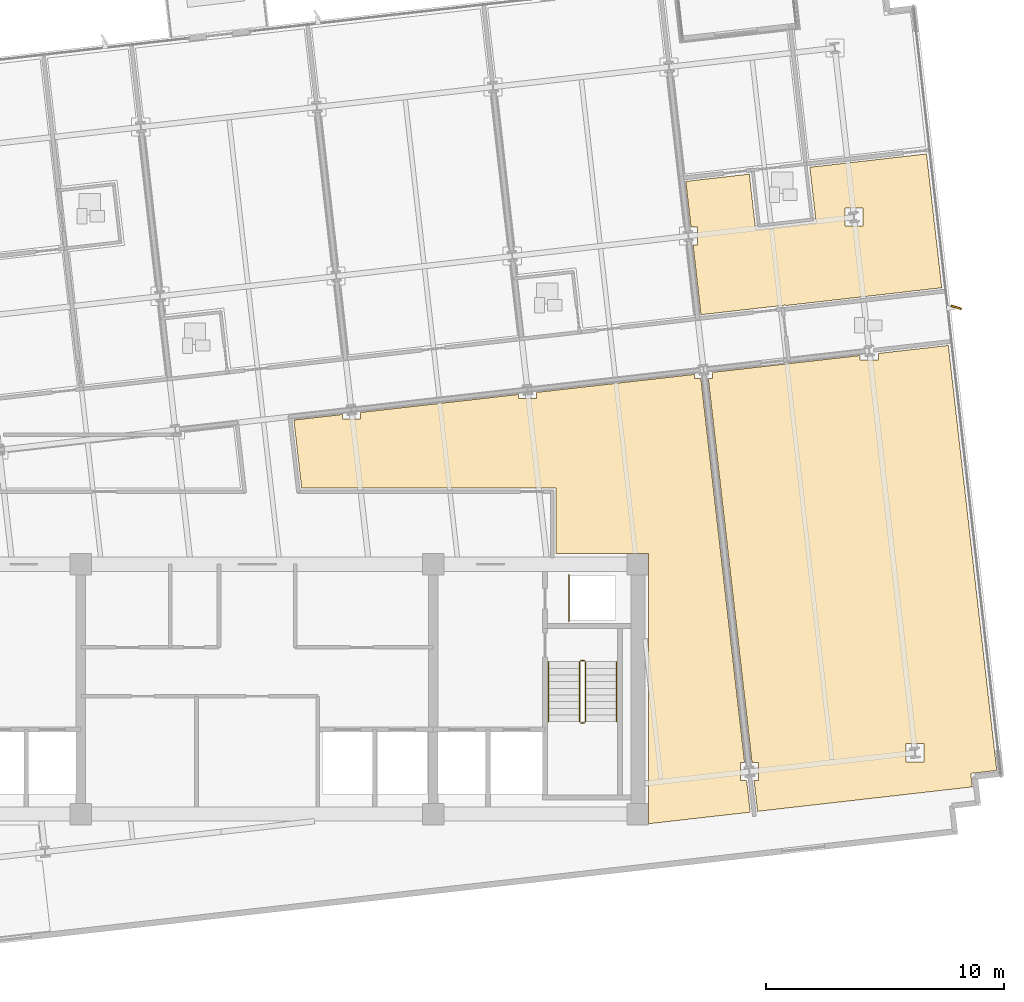
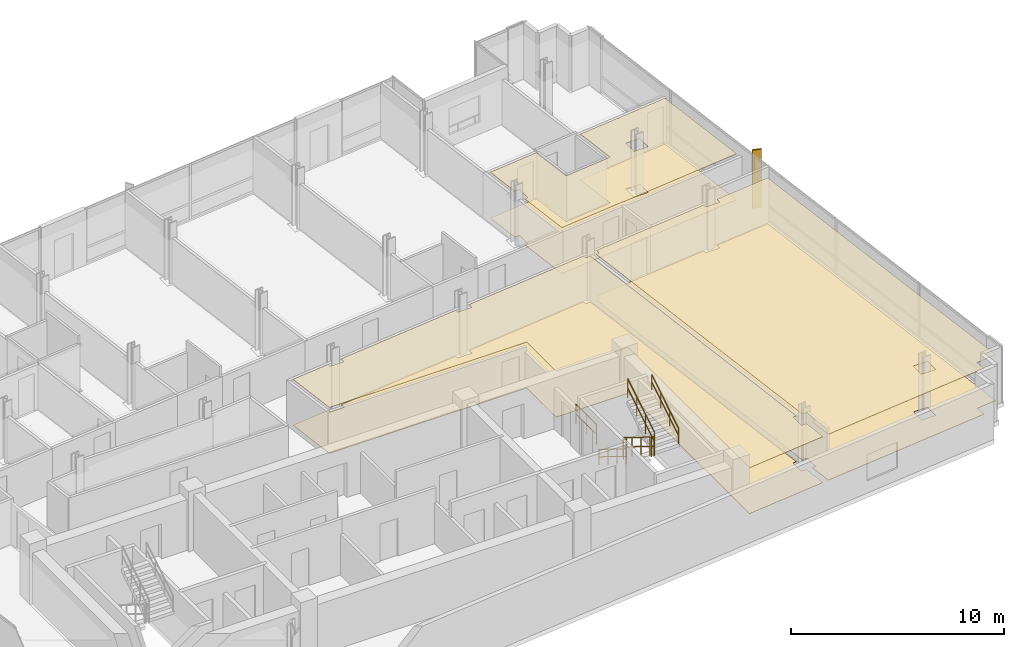
# One storey, part 14 of 16: 7 railings, 6 coverings, 1 shading device.
"""IFC4 building model written with IfcOpenShell, lengths in metres."""

from ifc_helpers import new_model, si_unit, direction, frame, origin, origin_2d, place, context, subcontext, project, spatial, polyline, rectangle, circle, outline, extrude, material, layer, layer_set, type_object, element, save


model = new_model("IFC4")

# Units and contexts
model_context = context("Model", 3, precision=1e-05, world=origin(), true_north=direction((0.0, 1.0)))
body_context = subcontext(model_context, "Body", "Model", "MODEL_VIEW")
ifc_project = project(units=[si_unit("LENGTHUNIT", "METRE"), si_unit("AREAUNIT", "SQUARE_METRE"), si_unit("VOLUMEUNIT", "CUBIC_METRE"), si_unit("PLANEANGLEUNIT", "RADIAN"), si_unit("MASSUNIT", "GRAM", prefix="KILO")], contexts=[model_context])

# Site, building, storey
site_placement = place(None, origin())
site = spatial("IfcSite", under=ifc_project, at=site_placement, CompositionType="ELEMENT")
building_placement = place(site_placement, origin())
building = spatial("IfcBuilding", under=site, at=building_placement, Name="Solmavex Isthmus Hotel", CompositionType="ELEMENT")
storey_placement = place(building_placement, frame((0.0, 0.0, 219.300048828125)))
storey = spatial("IfcBuildingStorey", under=building, at=storey_placement, Name="L59", CompositionType="ELEMENT", Elevation=219.300048828125)

# Coverings
ifc_material_1 = material(Name="Gypsum plasterboard lining", Category="gypsum")
ifc_layer_1 = layer(ifc_material_1, 0.030029296875)
ifc_layer_set_1 = layer_set([ifc_layer_1], Name="Gypsum plasterboard lining")
covering_type_1 = type_object("IfcCoveringType", Name="COV-CEIL-GYP", PredefinedType="CEILING", material=ifc_layer_set_1)
covering_1_placement = place(storey_placement, frame((0.0, 0.0, 2.619873046875)))
element("IfcCovering", 1, at=covering_1_placement, inside=storey, type_object=covering_type_1, Name="Suspended Acoustic Ceiling L59-ST06-FY", PredefinedType="CEILING", context=body_context, shape_type="SweptSolid", body=[
    extrude(outline(polyline([(20.68017578125, 13.8857421875), (18.013427734375, 13.581787109375), (18.044189453125, 13.3115234375), (18.23193359375, 11.6640625), (18.499267578125, 11.6640625), (18.499267578125, 10.904052734375), (18.318359375, 10.904052734375), (18.651611328125, 7.97998046875), (22.228515625, 8.3876953125), (22.230712890625, 8.36767578125), (28.766357421875, 9.1123046875), (28.1259765625, 14.73388671875), (23.2236328125, 14.175537109375), (23.48974609375, 11.840576171875), (20.946044921875, 11.55078125), (20.68017578125, 13.8857421875)]), holes=[polyline([(24.7021484375, 11.697265625), (24.7021484375, 12.457275390625), (25.462158203125, 12.457275390625), (25.462158203125, 11.697265625), (24.7021484375, 11.697265625)])]), origin(), (0.0, 0.0, 1.0), 0.030029296875),
])
covering_2_placement = place(storey_placement, frame((0.0, 0.0, 2.619873046875)))
element("IfcCovering", 2, at=covering_2_placement, inside=storey, type_object=covering_type_1, Name="Suspended Acoustic Ceiling L59-FL11", PredefinedType="CEILING", context=body_context, shape_type="SweptSolid", body=[
    extrude(outline(polyline([(4.34228515625, 3.873779296875), (4.34228515625, 3.6064453125), (3.582275390625, 3.6064453125), (3.582275390625, 3.787109375), (1.547607421875, 3.555419921875), (1.872314453125, 0.705078125), (12.554931640625, 0.705078125), (12.554931640625, -2.044921875), (16.455078125, -2.044921875), (16.455078125, -13.406005859375), (20.720947265625, -12.920166015625), (20.5703125, -11.598388671875), (20.302978515625, -11.598388671875), (20.302978515625, -10.83837890625), (20.483642578125, -10.83837890625), (18.645751953125, 5.292236328125), (18.378662109375, 5.292236328125), (18.378662109375, 5.472900390625), (11.740478515625, 4.716796875), (11.740478515625, 4.449462890625), (10.98046875, 4.449462890625), (10.98046875, 4.630126953125), (4.34228515625, 3.873779296875)])), origin(), (0.0, 0.0, 1.0), 0.030029296875),
])
covering_3_placement = place(storey_placement, frame((0.0, 0.0, 2.619873046875)))
element("IfcCovering", 3, at=covering_3_placement, inside=storey, type_object=covering_type_1, Name="Suspended Acoustic Ceiling L59-FL12", PredefinedType="CEILING", context=body_context, shape_type="SweptSolid", body=[
    extrude(outline(polyline([(20.795654296875, -10.83837890625), (21.06298828125, -10.83837890625), (21.06298828125, -11.598388671875), (20.88232421875, -11.598388671875), (21.02880859375, -12.885009765625), (30.048583984375, -11.857421875), (29.98388671875, -11.291015625), (31.076904296875, -11.16650390625), (30.983642578125, -10.3466796875), (29.042724609375, 6.68798828125), (26.1015625, 6.35302734375), (26.1015625, 6.085693359375), (25.341552734375, 6.085693359375), (25.341552734375, 6.266357421875), (19.138427734375, 5.5595703125), (19.138427734375, 5.292236328125), (18.957763671875, 5.292236328125), (20.795654296875, -10.83837890625)]), holes=[polyline([(27.265869140625, -10.80517578125), (27.265869140625, -10.045166015625), (28.02587890625, -10.045166015625), (28.02587890625, -10.80517578125), (27.265869140625, -10.80517578125)])]), origin(), (0.0, 0.0, 1.0), 0.030029296875),
])
ifc_material_2 = material(Name="Travertine natural stone", Category="masonry")
ifc_layer_2 = layer(ifc_material_2, 0.02490234375)
ifc_layer_set_2 = layer_set([ifc_layer_2], Name="Travertine natural stone")
covering_type_2 = type_object("IfcCoveringType", Name="COV-FLOR-STN", PredefinedType="FLOORING", material=ifc_layer_set_2)
covering_4_placement = place(storey_placement, origin())
element("IfcCovering", 4, at=covering_4_placement, inside=storey, type_object=covering_type_2, Name="Stone and Timber Floor Finish L59-ST06-FY", PredefinedType="FLOORING", context=body_context, shape_type="SweptSolid", body=[
    extrude(outline(polyline([(20.68017578125, 13.8857421875), (18.013427734375, 13.581787109375), (18.044189453125, 13.3115234375), (18.23193359375, 11.6640625), (18.499267578125, 11.6640625), (18.499267578125, 10.904052734375), (18.318359375, 10.904052734375), (18.651611328125, 7.97998046875), (22.228515625, 8.3876953125), (22.230712890625, 8.36767578125), (28.766357421875, 9.1123046875), (28.1259765625, 14.73388671875), (23.2236328125, 14.175537109375), (23.48974609375, 11.840576171875), (20.946044921875, 11.55078125), (20.68017578125, 13.8857421875)]), holes=[polyline([(24.7021484375, 11.697265625), (24.7021484375, 12.457275390625), (25.462158203125, 12.457275390625), (25.462158203125, 11.697265625), (24.7021484375, 11.697265625)])]), origin(), (0.0, 0.0, 1.0), 0.02490234375),
])
covering_5_placement = place(storey_placement, origin())
element("IfcCovering", 5, at=covering_5_placement, inside=storey, type_object=covering_type_2, Name="Stone and Timber Floor Finish L59-FL11", PredefinedType="FLOORING", context=body_context, shape_type="SweptSolid", body=[
    extrude(outline(polyline([(4.34228515625, 3.873779296875), (4.34228515625, 3.6064453125), (3.582275390625, 3.6064453125), (3.582275390625, 3.787109375), (1.547607421875, 3.555419921875), (1.872314453125, 0.705078125), (12.554931640625, 0.705078125), (12.554931640625, -2.044921875), (16.455078125, -2.044921875), (16.455078125, -13.406005859375), (20.720947265625, -12.920166015625), (20.5703125, -11.598388671875), (20.302978515625, -11.598388671875), (20.302978515625, -10.83837890625), (20.483642578125, -10.83837890625), (18.645751953125, 5.292236328125), (18.378662109375, 5.292236328125), (18.378662109375, 5.472900390625), (11.740478515625, 4.716796875), (11.740478515625, 4.449462890625), (10.98046875, 4.449462890625), (10.98046875, 4.630126953125), (4.34228515625, 3.873779296875)])), origin(), (0.0, 0.0, 1.0), 0.02490234375),
])
covering_6_placement = place(storey_placement, origin())
element("IfcCovering", 6, at=covering_6_placement, inside=storey, type_object=covering_type_2, Name="Stone and Timber Floor Finish L59-FL12", PredefinedType="FLOORING", context=body_context, shape_type="SweptSolid", body=[
    extrude(outline(polyline([(20.795654296875, -10.83837890625), (21.06298828125, -10.83837890625), (21.06298828125, -11.598388671875), (20.88232421875, -11.598388671875), (21.02880859375, -12.885009765625), (30.048583984375, -11.857421875), (29.98388671875, -11.291015625), (31.076904296875, -11.16650390625), (30.983642578125, -10.3466796875), (29.042724609375, 6.68798828125), (26.1015625, 6.35302734375), (26.1015625, 6.085693359375), (25.341552734375, 6.085693359375), (25.341552734375, 6.266357421875), (19.138427734375, 5.5595703125), (19.138427734375, 5.292236328125), (18.957763671875, 5.292236328125), (20.795654296875, -10.83837890625)]), holes=[polyline([(27.265869140625, -10.80517578125), (27.265869140625, -10.045166015625), (28.02587890625, -10.045166015625), (28.02587890625, -10.80517578125), (27.265869140625, -10.80517578125)])]), origin(), (0.0, 0.0, 1.0), 0.02490234375),
])

# Railings
ifc_material_3 = material(Name="Clear low-E laminated glass", Category="glass")
ifc_layer_3 = layer(ifc_material_3, 0.080078125)
ifc_layer_set_3 = layer_set([ifc_layer_3], Name="Clear low-E laminated glass")
railing_type_1 = type_object("IfcRailingType", Name="RAIL-ATRIUM-1120", PredefinedType="BALUSTRADE", material=ifc_layer_set_3)
railing_1_placement = place(storey_placement, frame((13.10009765625, -4.89990234375, 0.0)))
element("IfcRailing", 7, at=railing_1_placement, inside=storey, type_object=railing_type_1, Name="Guardrail Balustrade L59-RSE-01", PredefinedType="BALUSTRADE", context=body_context, shape_type="SweptSolid", body=[
    extrude(circle(Radius=0.02392578125, at=origin_2d()), frame((0.0, 0.0, 1.1259765625), z_axis=(0.0, 1.0, 0.0), x_axis=(-1.0, 0.0, 0.0)), (0.0, 0.0, 1.0), 1.949951171875),
    extrude(circle(Radius=0.02392578125, at=origin_2d()), frame((0.0, 0.0, 0.574951171875), z_axis=(0.0, 1.0, 0.0), x_axis=(-1.0, 0.0, 0.0)), (0.0, 0.0, 1.0), 1.949951171875),
    extrude(circle(Radius=0.02099609375, at=origin_2d()), origin(), (0.0, 0.0, 1.0), 1.101806640625),
    extrude(circle(Radius=0.02099609375, at=origin_2d()), frame((0.0, 0.97509765625, 0.0)), (0.0, 0.0, 1.0), 1.101806640625),
    extrude(circle(Radius=0.02099609375, at=origin_2d()), frame((0.0, 1.949951171875, 0.0)), (0.0, 0.0, 1.0), 1.101806640625),
])
ifc_material_4 = material(Name="Stainless steel 316", Category="steel")
ifc_layer_4 = layer(ifc_material_4, 0.06005859375)
ifc_layer_set_4 = layer_set([ifc_layer_4], Name="Stainless steel 316")
railing_type_2 = type_object("IfcRailingType", Name="RAIL-STAIR-GD", PredefinedType="GUARDRAIL", material=ifc_layer_set_4)
railing_2_placement = place(storey_placement, frame((13.550048828125, -6.60009765625, 0.17236328125)))
element("IfcRailing", 8, at=railing_2_placement, inside=storey, type_object=railing_type_2, Name="L59 ST-2 stair guard 1", PredefinedType="GUARDRAIL", context=body_context, shape_type="SweptSolid", body=[
    extrude(circle(Radius=0.02392578125, at=origin_2d()), frame((0.0, 0.0, 1.09619140625), z_axis=(0.0, -0.851400495292, 0.524516154772), x_axis=(1.0, 0.0, 0.0)), (0.0, 0.0, 1.0), 2.9599609375),
    extrude(circle(Radius=0.02392578125, at=origin_2d()), frame((0.0, 0.0, 0.56005859375), z_axis=(0.0, -0.851400495292, 0.524516154772), x_axis=(1.0, 0.0, 0.0)), (0.0, 0.0, 1.0), 2.9599609375),
    extrude(circle(Radius=0.02099609375, at=origin_2d()), origin(), (0.0, 0.0, 1.0), 1.072021484375),
    extrude(circle(Radius=0.02099609375, at=origin_2d()), frame((0.0, -0.840087890625, 0.517578125)), (0.0, 0.0, 1.0), 1.072021484375),
    extrude(circle(Radius=0.02099609375, at=origin_2d()), frame((0.0, -1.679931640625, 1.034912109375)), (0.0, 0.0, 1.0), 1.072021484375),
    extrude(circle(Radius=0.02099609375, at=origin_2d()), frame((0.0, -2.52001953125, 1.552490234375)), (0.0, 0.0, 1.0), 1.072021484375),
])
railing_3_placement = place(storey_placement, frame((13.60009765625, -9.169921875, 1.724853515625)))
element("IfcRailing", 9, at=railing_3_placement, inside=storey, type_object=railing_type_2, Name="L59 ST-2 stair guard 2", PredefinedType="GUARDRAIL", context=body_context, shape_type="SweptSolid", body=[
    extrude(circle(Radius=0.02392578125, at=origin_2d()), frame((0.0, 0.0, 1.09619140625), z_axis=(1.0, 0.0, 0.0), x_axis=(0.0, 1.0, 0.0)), (0.0, 0.0, 1.0), 0.14990234375),
    extrude(circle(Radius=0.02392578125, at=origin_2d()), frame((0.0, 0.0, 0.56005859375), z_axis=(1.0, 0.0, 0.0), x_axis=(0.0, 1.0, 0.0)), (0.0, 0.0, 1.0), 0.14990234375),
    extrude(circle(Radius=0.02099609375, at=origin_2d()), origin(), (0.0, 0.0, 1.0), 1.072021484375),
    extrude(circle(Radius=0.02099609375, at=origin_2d()), frame((0.14990234375, 0.0, 0.0)), (0.0, 0.0, 1.0), 1.072021484375),
])
railing_4_placement = place(storey_placement, frame((13.800048828125, -9.1201171875, 1.8974609375)))
element("IfcRailing", 10, at=railing_4_placement, inside=storey, type_object=railing_type_2, Name="L59 ST-2 stair guard 3", PredefinedType="GUARDRAIL", context=body_context, shape_type="SweptSolid", body=[
    extrude(circle(Radius=0.02392578125, at=origin_2d()), frame((0.0, 0.0, 1.09619140625), z_axis=(0.0, 0.851400495292, 0.524516154772), x_axis=(-1.0, 0.0, 0.0)), (0.0, 0.0, 1.0), 2.9599609375),
    extrude(circle(Radius=0.02392578125, at=origin_2d()), frame((0.0, 0.0, 0.56005859375), z_axis=(0.0, 0.851400495292, 0.524516154772), x_axis=(-1.0, 0.0, 0.0)), (0.0, 0.0, 1.0), 2.9599609375),
    extrude(circle(Radius=0.02099609375, at=origin_2d()), origin(), (0.0, 0.0, 1.0), 1.072021484375),
    extrude(circle(Radius=0.02099609375, at=origin_2d()), frame((0.0, 0.840087890625, 0.517578125)), (0.0, 0.0, 1.0), 1.072021484375),
    extrude(circle(Radius=0.02099609375, at=origin_2d()), frame((0.0, 1.679931640625, 1.034912109375)), (0.0, 0.0, 1.0), 1.072021484375),
    extrude(circle(Radius=0.02099609375, at=origin_2d()), frame((0.0, 2.52001953125, 1.552490234375)), (0.0, 0.0, 1.0), 1.072021484375),
])
railing_5_placement = place(storey_placement, frame((13.60009765625, -6.550048828125, 0.0)))
element("IfcRailing", 11, at=railing_5_placement, inside=storey, type_object=railing_type_2, Name="L59 ST-2 stair guard 4", PredefinedType="GUARDRAIL", context=body_context, shape_type="SweptSolid", body=[
    extrude(circle(Radius=0.02392578125, at=origin_2d()), frame((0.0, 0.0, 1.09619140625), z_axis=(1.0, 0.0, 0.0), x_axis=(0.0, 1.0, 0.0)), (0.0, 0.0, 1.0), 0.14990234375),
    extrude(circle(Radius=0.02392578125, at=origin_2d()), frame((0.0, 0.0, 0.56005859375), z_axis=(1.0, 0.0, 0.0), x_axis=(0.0, 1.0, 0.0)), (0.0, 0.0, 1.0), 0.14990234375),
    extrude(circle(Radius=0.02099609375, at=origin_2d()), origin(), (0.0, 0.0, 1.0), 1.072021484375),
    extrude(circle(Radius=0.02099609375, at=origin_2d()), frame((0.14990234375, 0.0, 0.0)), (0.0, 0.0, 1.0), 1.072021484375),
])
ifc_layer_5 = layer(ifc_material_4, 0.050048828125)
ifc_layer_set_5 = layer_set([ifc_layer_5], Name="Stainless steel 316")
railing_type_3 = type_object("IfcRailingType", Name="RAIL-STAIR-HR", PredefinedType="HANDRAIL", material=ifc_layer_set_5)
railing_6_placement = place(storey_placement, frame((12.25, -6.60009765625, 0.17236328125)))
element("IfcRailing", 12, at=railing_6_placement, inside=storey, type_object=railing_type_3, Name="L59 ST-2 stair handrail 1", PredefinedType="HANDRAIL", context=body_context, shape_type="SweptSolid", body=[
    extrude(circle(Radius=0.02392578125, at=origin_2d()), frame((0.0, 0.0, 0.8759765625), z_axis=(0.0, -0.851400495292, 0.524516154772), x_axis=(1.0, 0.0, 0.0)), (0.0, 0.0, 1.0), 2.9599609375),
    extrude(circle(Radius=0.02392578125, at=origin_2d()), frame((0.0, 0.0, 0.449951171875), z_axis=(0.0, -0.851400495292, 0.524516154772), x_axis=(1.0, 0.0, 0.0)), (0.0, 0.0, 1.0), 2.9599609375),
    extrude(circle(Radius=0.02099609375, at=origin_2d()), origin(), (0.0, 0.0, 1.0), 0.851806640625),
    extrude(circle(Radius=0.02099609375, at=origin_2d()), frame((0.0, -0.840087890625, 0.517578125)), (0.0, 0.0, 1.0), 0.851806640625),
    extrude(circle(Radius=0.02099609375, at=origin_2d()), frame((0.0, -1.679931640625, 1.034912109375)), (0.0, 0.0, 1.0), 0.851806640625),
    extrude(circle(Radius=0.02099609375, at=origin_2d()), frame((0.0, -2.52001953125, 1.552490234375)), (0.0, 0.0, 1.0), 0.851806640625),
])
railing_7_placement = place(storey_placement, frame((15.10009765625, -9.1201171875, 1.8974609375)))
element("IfcRailing", 13, at=railing_7_placement, inside=storey, type_object=railing_type_3, Name="L59 ST-2 stair handrail 2", PredefinedType="HANDRAIL", context=body_context, shape_type="SweptSolid", body=[
    extrude(circle(Radius=0.02392578125, at=origin_2d()), frame((0.0, 0.0, 0.8759765625), z_axis=(0.0, 0.851400495292, 0.524516154772), x_axis=(-1.0, 0.0, 0.0)), (0.0, 0.0, 1.0), 2.9599609375),
    extrude(circle(Radius=0.02392578125, at=origin_2d()), frame((0.0, 0.0, 0.449951171875), z_axis=(0.0, 0.851400495292, 0.524516154772), x_axis=(-1.0, 0.0, 0.0)), (0.0, 0.0, 1.0), 2.9599609375),
    extrude(circle(Radius=0.02099609375, at=origin_2d()), origin(), (0.0, 0.0, 1.0), 0.851806640625),
    extrude(circle(Radius=0.02099609375, at=origin_2d()), frame((0.0, 0.840087890625, 0.517578125)), (0.0, 0.0, 1.0), 0.851806640625),
    extrude(circle(Radius=0.02099609375, at=origin_2d()), frame((0.0, 1.679931640625, 1.034912109375)), (0.0, 0.0, 1.0), 0.851806640625),
    extrude(circle(Radius=0.02099609375, at=origin_2d()), frame((0.0, 2.52001953125, 1.552490234375)), (0.0, 0.0, 1.0), 0.851806640625),
])

# Shading device
ifc_material_5 = material(Name="Aluminium alloy 6063-T6", Category="aluminium")
shading_device_type = type_object("IfcShadingDeviceType", Name="SHD-FIN-BRONZE", PredefinedType="USERDEFINED", material=ifc_material_5)
shading_device_placement = place(storey_placement, frame((29.37841796875, 8.291259765625, -0.14013671875), z_axis=(0.0, 0.0, 1.0), x_axis=(0.953716950748, -0.300705799504, 0.0)))
element("IfcShadingDevice", 14, at=shading_device_placement, inside=storey, type_object=shading_device_type, Name="Anodised Aluminium Solar Fin L59-E1", ObjectType="SOLAR_FIN", PredefinedType="USERDEFINED", context=body_context, shape_type="SweptSolid", body=[
    extrude(rectangle(XDim=0.449951171875, YDim=0.080078125, at=origin_2d()), origin(), (0.0, 0.0, 1.0), 3.330078125),
])

save(model, "model.ifc")
